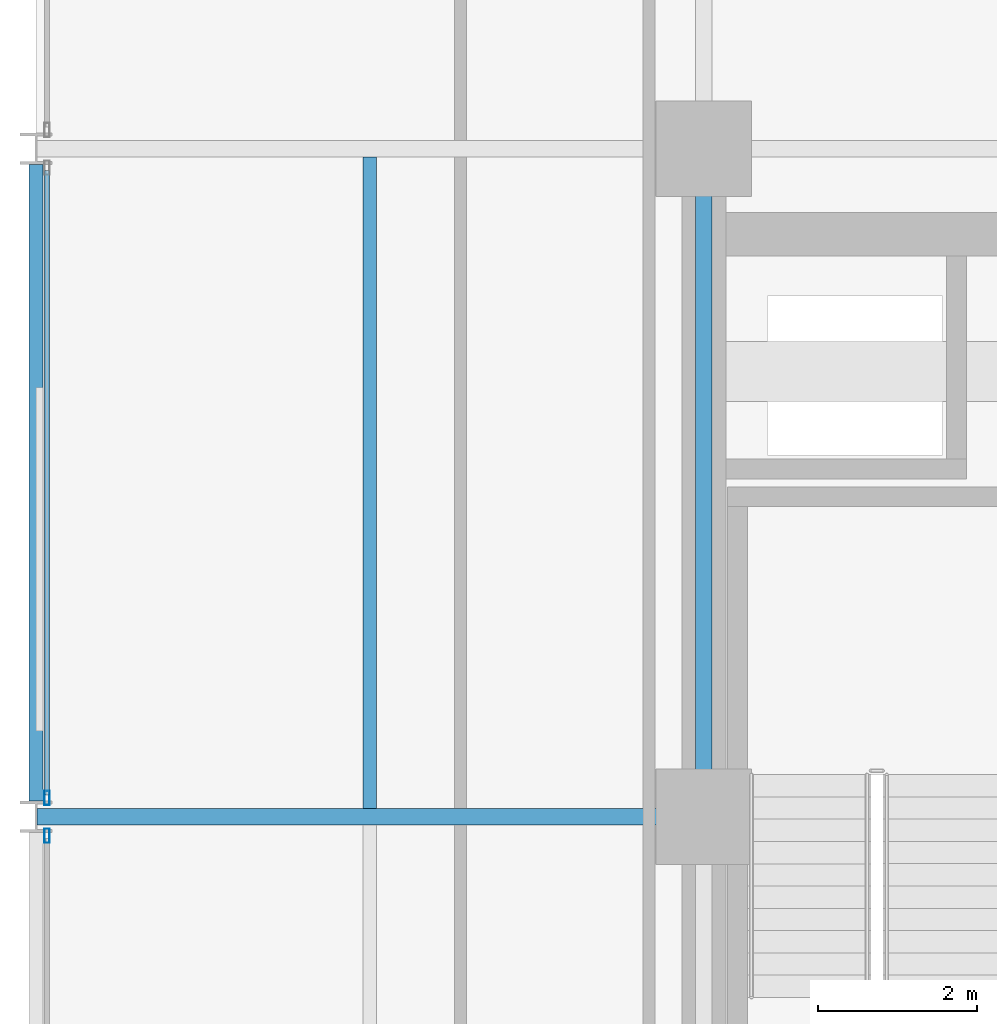
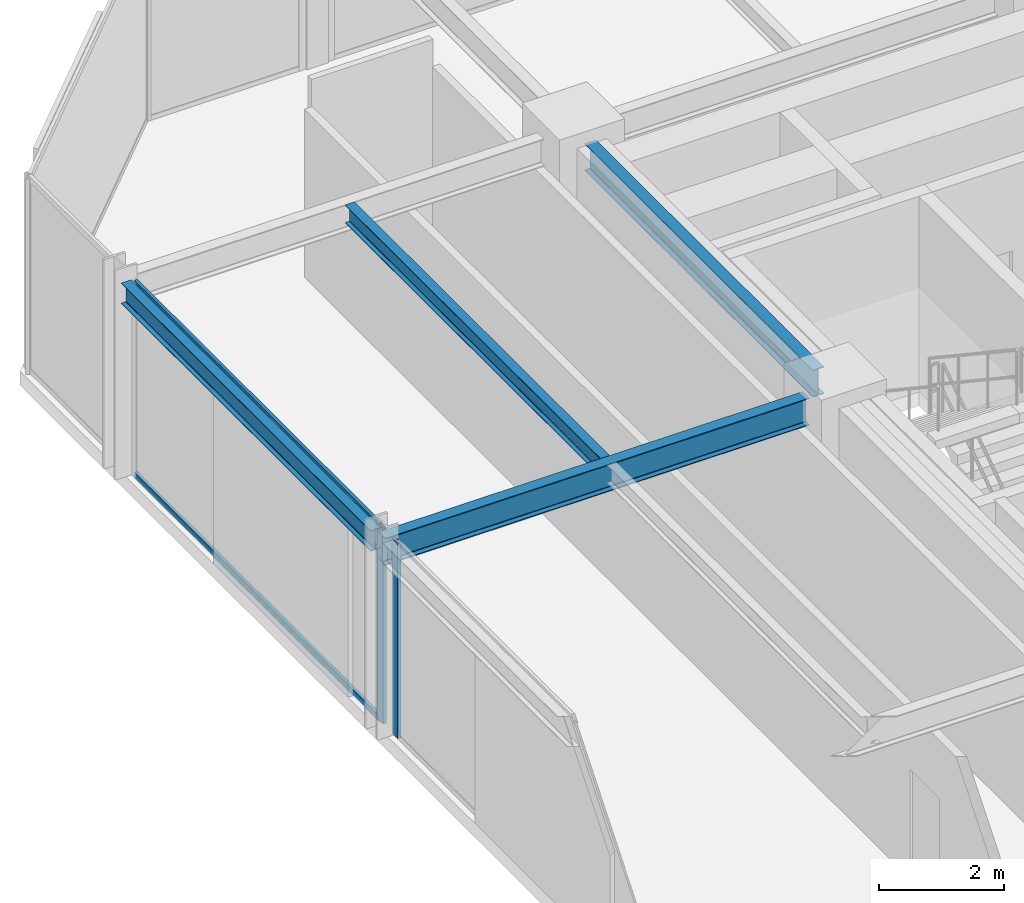
# One storey, part 23 of 38: 4 beams, 4 members, 2 elements without a shape of their own.
"""IFC4 building model written with IfcOpenShell, lengths in metres."""

from ifc_helpers import new_model, si_unit, direction, frame, origin, origin_2d, place, context, subcontext, project, spatial, hollow_rectangle, i_section, extrude, material, layer, layer_set, material_profile, profile_set, type_object, element, aggregate, save


model = new_model("IFC4")

# Units and contexts
model_context = context("Model", 3, precision=1e-05, world=origin(), true_north=direction((0.0, 1.0)))
body_context = subcontext(model_context, "Body", "Model", "MODEL_VIEW")
ifc_project = project(units=[si_unit("LENGTHUNIT", "METRE"), si_unit("AREAUNIT", "SQUARE_METRE"), si_unit("VOLUMEUNIT", "CUBIC_METRE"), si_unit("PLANEANGLEUNIT", "RADIAN"), si_unit("MASSUNIT", "GRAM", prefix="KILO")], contexts=[model_context])

# Site, building, storey
site_placement = place(None, origin())
site = spatial("IfcSite", under=ifc_project, at=site_placement, CompositionType="ELEMENT")
building_placement = place(site_placement, origin())
building = spatial("IfcBuilding", under=site, at=building_placement, Name="Nerrivon Quay Data Exchange", CompositionType="ELEMENT")
storey_placement = place(building_placement, frame((0.0, 0.0, 88.5)))
storey = spatial("IfcBuildingStorey", under=building, at=storey_placement, Name="L20", CompositionType="ELEMENT", Elevation=88.5)

# Beams
ifc_material_1 = material(Name="Steel Grade 350", Category="steel")
ifc_material_profile_1 = material_profile(ifc_material_1, i_section(OverallWidth=0.208984375, OverallDepth=0.532958984375, WebThickness=0.01025390625, FlangeThickness=0.015625, FilletRadius=0.013916015625, at=origin_2d()), Name="530UB92.4")
ifc_profile_set_1 = profile_set([ifc_material_profile_1], Name="Steel Grade 350")
beam_type_1 = type_object("IfcBeamType", Name="BM-G3-530UB92", PredefinedType="BEAM", material=ifc_profile_set_1)
beam_1_placement = place(storey_placement, frame((0.012451171875, 33.60009765625, 3.55859375), z_axis=(1.0, 0.0, 0.0), x_axis=(0.0, 1.0, 0.0)))
element("IfcBeam", 1, at=beam_1_placement, inside=storey, type_object=beam_type_1, Name="L20 EW Girder Y=33.6 (0.0..8.4)", PredefinedType="BEAM", context=body_context, shape_type="SweptSolid", body=[
    extrude(i_section(OverallWidth=0.208984375, OverallDepth=0.532958984375, WebThickness=0.01025390625, FlangeThickness=0.015625, FilletRadius=0.013916015625, at=origin_2d()), origin(), (0.0, 0.0, 1.0), 7.84765625),
])
ifc_material_profile_2 = material_profile(ifc_material_1, i_section(OverallWidth=0.208984375, OverallDepth=0.528076171875, WebThickness=0.009521484375, FlangeThickness=0.01318359375, FilletRadius=0.013916015625, at=origin_2d()), Name="530UB82.0")
ifc_profile_set_2 = profile_set([ifc_material_profile_2], Name="Steel Grade 350")
beam_type_2 = type_object("IfcBeamType", Name="BM-G4-530UB82", PredefinedType="BEAM", material=ifc_profile_set_2)
beam_2_placement = place(storey_placement, frame((8.39990234375, 34.139892578125, 3.56103515625), z_axis=(0.0, 1.0, 0.0), x_axis=(-1.0, 0.0, 0.0)))
element("IfcBeam", 2, at=beam_2_placement, inside=storey, type_object=beam_type_2, Name="L20 NS Girder X=8.4 (33.6..42.0)", PredefinedType="BEAM", context=body_context, shape_type="SweptSolid", body=[
    extrude(i_section(OverallWidth=0.208984375, OverallDepth=0.528076171875, WebThickness=0.009521484375, FlangeThickness=0.01318359375, FilletRadius=0.013916015625, at=origin_2d()), origin(), (0.0, 0.0, 1.0), 7.320068359375),
])
ifc_material_profile_3 = material_profile(ifc_material_1, i_section(OverallWidth=0.1708984375, OverallDepth=0.35595703125, WebThickness=0.00732421875, FlangeThickness=0.011474609375, FilletRadius=0.011474609375, at=origin_2d()), Name="360UB50.7")
ifc_profile_set_3 = profile_set([ifc_material_profile_3], Name="Steel Grade 350")
beam_type_3 = type_object("IfcBeamType", Name="BM-J4-360UB51", PredefinedType="JOIST", material=ifc_profile_set_3)
beam_3_placement = place(storey_placement, frame((4.199951171875, 33.70458984375, 3.64697265625), z_axis=(0.0, 1.0, 0.0), x_axis=(-1.0, 0.0, 0.0)))
element("IfcBeam", 3, at=beam_3_placement, inside=storey, type_object=beam_type_3, Name="L20 Secondary Joist X=4.2 (33.6..42.0)", PredefinedType="JOIST", context=body_context, shape_type="SweptSolid", body=[
    extrude(i_section(OverallWidth=0.1708984375, OverallDepth=0.35595703125, WebThickness=0.00732421875, FlangeThickness=0.011474609375, FilletRadius=0.011474609375, at=origin_2d()), origin(), (0.0, 0.0, 1.0), 8.19091796875),
])
ifc_material_profile_4 = material_profile(ifc_material_1, i_section(OverallWidth=0.177978515625, OverallDepth=0.403076171875, WebThickness=0.007568359375, FlangeThickness=0.010986328125, FilletRadius=0.011474609375, at=origin_2d()), Name="410UB53.7")
ifc_profile_set_4 = profile_set([ifc_material_profile_4], Name="Steel Grade 350")
beam_type_4 = type_object("IfcBeamType", Name="BM-SP2-410UB54", PredefinedType="SPANDREL", material=ifc_profile_set_4)
beam_4_placement = place(storey_placement, frame((0.0, 33.800048828125, 3.62353515625), z_axis=(0.0, 1.0, 0.0), x_axis=(-1.0, 0.0, 0.0)))
element("IfcBeam", 4, at=beam_4_placement, inside=storey, type_object=beam_type_4, Name="L20 NS Girder X=0.0 (33.6..42.0)", PredefinedType="SPANDREL", context=body_context, shape_type="SweptSolid", body=[
    extrude(i_section(OverallWidth=0.177978515625, OverallDepth=0.403076171875, WebThickness=0.007568359375, FlangeThickness=0.010986328125, FilletRadius=0.011474609375, at=origin_2d()), origin(), (0.0, 0.0, 1.0), 8.0),
])

# Curtain wall, member
ifc_material_2 = material(Name="Anodised aluminium 6063-T6", Category="aluminium")
ifc_layer = layer(ifc_material_2, 0.2099609375)
ifc_layer_set = layer_set([ifc_layer], Name="Anodised aluminium 6063-T6")
curtain_wall_type = type_object("IfcCurtainWallType", Name="CW-SYS-02", PredefinedType="NOTDEFINED", material=ifc_layer_set)
curtain_wall_1_placement = place(storey_placement, origin())
curtain_wall_1 = element("IfcCurtainWall", 5, at=curtain_wall_1_placement, inside=storey, type_object=curtain_wall_type, Name="L20 Unitised Curtain Wall 20", PredefinedType="NOTDEFINED")
ifc_material_profile_5 = material_profile(ifc_material_2, hollow_rectangle(XDim=0.06494140625, YDim=0.179931640625, WallThickness=0.00341796875, at=origin_2d()), Name="ALU-MULL-180x65")
ifc_profile_set_5 = profile_set([ifc_material_profile_5], Name="Anodised aluminium 6063-T6")
member_type_1 = type_object("IfcMemberType", Name="CWM-180x65", PredefinedType="MULLION", material=ifc_profile_set_5)
member_1_placement = place(storey_placement, frame((0.139892578125, 33.362548828125, 0.0), z_axis=(0.0, 0.0, 1.0), x_axis=(-1.0, 0.0, 0.0)))
member_1 = element("IfcMember", 6, at=member_1_placement, type_object=member_type_1, Name="CW02 mullion 2", PredefinedType="MULLION", context=body_context, shape_type="SweptSolid", body=[
    extrude(hollow_rectangle(XDim=0.06494140625, YDim=0.179931640625, WallThickness=0.00341796875, at=origin_2d()), origin(), (0.0, 0.0, 1.0), 3.824951171875),
])
aggregate(curtain_wall_1, [member_1])

# Curtain wall, members
curtain_wall_2_placement = place(storey_placement, origin())
curtain_wall_2 = element("IfcCurtainWall", 7, at=curtain_wall_2_placement, inside=storey, type_object=curtain_wall_type, Name="L20 Unitised Curtain Wall 21", PredefinedType="NOTDEFINED")
member_2_placement = place(storey_placement, frame((0.139892578125, 33.83740234375, 0.0), z_axis=(0.0, 0.0, 1.0), x_axis=(-1.0, 0.0, 0.0)))
member_2 = element("IfcMember", 8, at=member_2_placement, type_object=member_type_1, Name="CW02 mullion 1", PredefinedType="MULLION", context=body_context, shape_type="SweptSolid", body=[
    extrude(hollow_rectangle(XDim=0.06494140625, YDim=0.179931640625, WallThickness=0.00341796875, at=origin_2d()), origin(), (0.0, 0.0, 1.0), 3.824951171875),
])
ifc_material_profile_6 = material_profile(ifc_material_2, hollow_rectangle(XDim=0.06005859375, YDim=0.1201171875, WallThickness=0.003173828125, at=origin_2d()), Name="ALU-TRAN-120x60")
ifc_profile_set_6 = profile_set([ifc_material_profile_6], Name="Anodised aluminium 6063-T6")
member_type_2 = type_object("IfcMemberType", Name="CWT-120x60", PredefinedType="USERDEFINED", material=ifc_profile_set_6)
member_3_placement = place(storey_placement, frame((0.139892578125, 33.875, 0.032470703125), z_axis=(0.0, 1.0, 0.0), x_axis=(-1.0, 0.0, 0.0)))
member_3 = element("IfcMember", 9, at=member_3_placement, type_object=member_type_2, Name="CW02 transom 1.1", ObjectType="TRANSOM", PredefinedType="USERDEFINED", context=body_context, shape_type="SweptSolid", body=[
    extrude(hollow_rectangle(XDim=0.06005859375, YDim=0.1201171875, WallThickness=0.003173828125, at=origin_2d()), origin(), (0.0, 0.0, 1.0), 7.85009765625),
])
member_4_placement = place(storey_placement, frame((0.139892578125, 33.875, 3.79248046875), z_axis=(0.0, 1.0, 0.0), x_axis=(-1.0, 0.0, 0.0)))
member_4 = element("IfcMember", 10, at=member_4_placement, type_object=member_type_2, Name="CW02 transom 1.2", ObjectType="TRANSOM", PredefinedType="USERDEFINED", context=body_context, shape_type="SweptSolid", body=[
    extrude(hollow_rectangle(XDim=0.06005859375, YDim=0.1201171875, WallThickness=0.003173828125, at=origin_2d()), origin(), (0.0, 0.0, 1.0), 7.85009765625),
])
aggregate(curtain_wall_2, [member_2, member_3, member_4])

save(model, "model.ifc")
